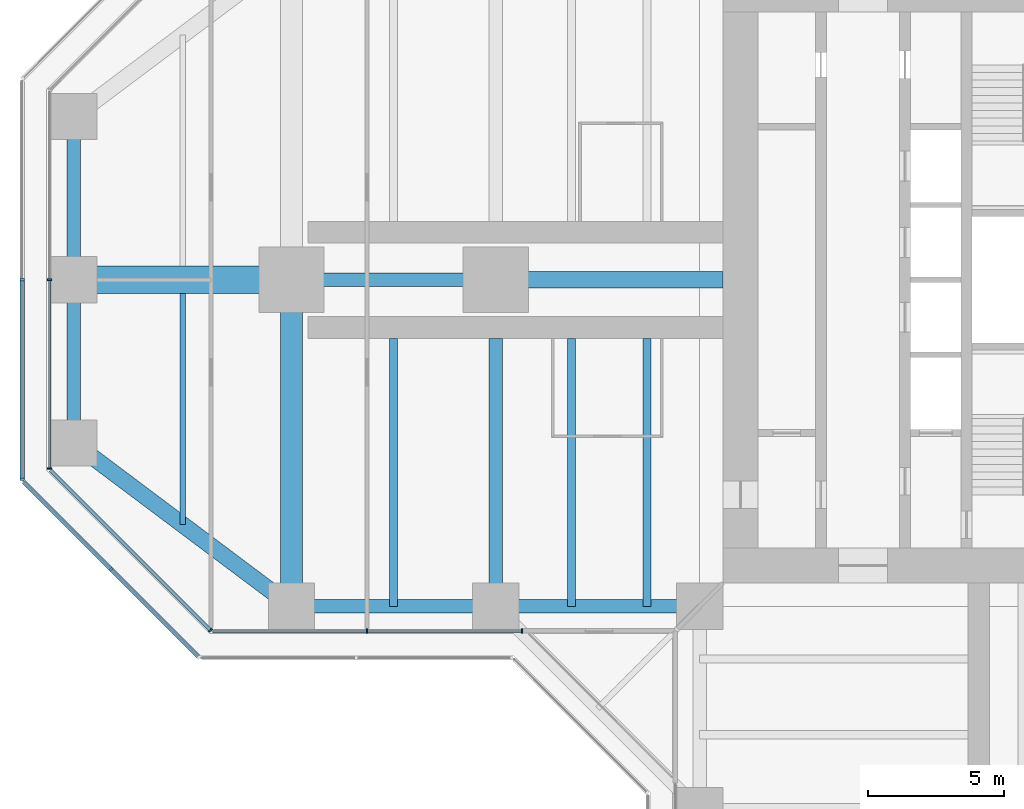
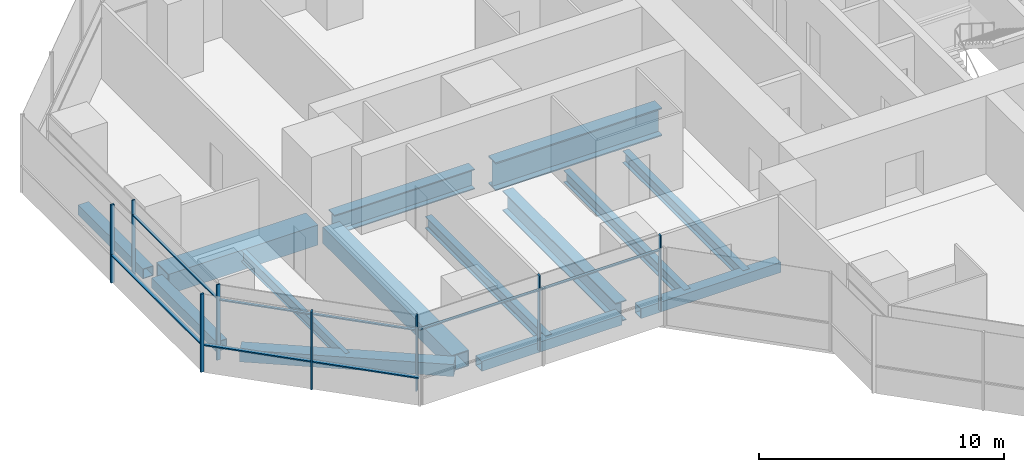
# One storey, part 3 of 20: 15 members, 14 beams, 5 elements without a shape of their own.
"""IFC4 building model written with IfcOpenShell, lengths in metres."""

from ifc_helpers import new_model, si_unit, direction, frame, origin, origin_2d, place, context, subcontext, project, spatial, rectangle, hollow_rectangle, i_section, extrude, material, material_profile, profile_set, type_object, element, aggregate, save


model = new_model("IFC4")

# Units and contexts
model_context = context("Model", 3, precision=1e-05, world=origin(), true_north=direction((0.0, 1.0)))
body_context = subcontext(model_context, "Body", "Model", "MODEL_VIEW")
ifc_project = project(units=[si_unit("LENGTHUNIT", "METRE"), si_unit("AREAUNIT", "SQUARE_METRE"), si_unit("VOLUMEUNIT", "CUBIC_METRE"), si_unit("PLANEANGLEUNIT", "RADIAN"), si_unit("MASSUNIT", "GRAM", prefix="KILO")], contexts=[model_context])

# Site, building, storey
site_placement = place(None, origin())
site = spatial("IfcSite", under=ifc_project, at=site_placement, CompositionType="ELEMENT")
building_placement = place(site_placement, origin())
building = spatial("IfcBuilding", under=site, at=building_placement, Name="Mizan Broadcast Tower", CompositionType="ELEMENT")
storey_placement = place(building_placement, frame((0.0, 0.0, 155.39990234375)))
storey = spatial("IfcBuildingStorey", under=building, at=storey_placement, Name="L35", CompositionType="ELEMENT", Elevation=155.39990234375)

# Beams
ifc_material_1 = material(Name="Steel S355", Category="steel")
ifc_material_profile_1 = material_profile(ifc_material_1, hollow_rectangle(XDim=0.5, YDim=0.5, WallThickness=0.030029296875, at=origin_2d()), Name="BOX 500x500x30")
ifc_profile_set_1 = profile_set([ifc_material_profile_1], Name="Steel S355")
beam_type_1 = type_object("IfcBeamType", Name="EDGE BEAM BOX 500x500x30", PredefinedType="SPANDREL", material=ifc_profile_set_1)
beam_1_placement = place(storey_placement, frame((-35.0, 5.639892578125, -0.3798828125), z_axis=(0.0, -1.0, 0.0), x_axis=(1.0, 0.0, 0.0)))
element("IfcBeam", 1, at=beam_1_placement, inside=storey, type_object=beam_type_1, Name="Edge beam BOX 500x500x30 L35 west arm", PredefinedType="SPANDREL", context=body_context, shape_type="SweptSolid", body=[
    extrude(hollow_rectangle(XDim=0.5, YDim=0.5, WallThickness=0.030029296875, at=origin_2d()), origin(), (0.0, 0.0, 1.0), 5.27978515625),
])
for number, where, z_axis, x_axis, name in (
    (2, (-12.449951171875, -12.0, -0.3798828125), (-1.0, 0.0, 0.0), (0.0, -1.0, 0.0), "Edge beam BOX 500x500x30 L35 west arm"),
    (3, (-19.949951171875, -12.0, -0.3798828125), (-1.0, 0.0, 0.0), (0.0, -1.0, 0.0), "Edge beam BOX 500x500x30 L35 west arm"),
):
    element("IfcBeam", number, at=place(storey_placement, frame(where, z_axis=z_axis, x_axis=x_axis)), inside=storey, type_object=beam_type_1, Name=name, PredefinedType="SPANDREL", context=body_context, shape_type="SweptSolid", body=[
        extrude(hollow_rectangle(XDim=0.5, YDim=0.5, WallThickness=0.030029296875, at=origin_2d()), origin(), (0.0, 0.0, 1.0), 6.60009765625),
    ])
beam_2_placement = place(storey_placement, frame((-35.0, -5.639892578125, -0.3798828125), z_axis=(0.0, 1.0, 0.0), x_axis=(-1.0, 0.0, 0.0)))
element("IfcBeam", 4, at=beam_2_placement, inside=storey, type_object=beam_type_1, Name="Edge beam BOX 500x500x30 L35 west arm", PredefinedType="SPANDREL", context=body_context, shape_type="SweptSolid", body=[
    extrude(hollow_rectangle(XDim=0.5, YDim=0.5, WallThickness=0.030029296875, at=origin_2d()), origin(), (0.0, 0.0, 1.0), 5.27978515625),
])
ifc_material_2 = material(Name="Steel S355", Category="steel")
ifc_material_profile_2 = material_profile(ifc_material_2, hollow_rectangle(XDim=0.60009765625, YDim=0.60009765625, WallThickness=0.030029296875, at=origin_2d()), Name="BOX 600x600x30")
ifc_profile_set_2 = profile_set([ifc_material_profile_2], Name="Steel S355")
beam_type_2 = type_object("IfcBeamType", Name="EDGE BEAM BOX 600x600x30", PredefinedType="SPANDREL", material=ifc_profile_set_2)
beam_3_placement = place(storey_placement, frame((-27.47998046875, -11.639892578125, -0.429931640625), z_axis=(-0.800013316712, 0.599982243973, 0.0), x_axis=(-0.599982243973, -0.800013316712, 0.0)))
element("IfcBeam", 5, at=beam_3_placement, inside=storey, type_object=beam_type_2, Name="Edge beam BOX 600x600x30 L35 west arm", PredefinedType="SPANDREL", context=body_context, shape_type="SweptSolid", body=[
    extrude(hollow_rectangle(XDim=0.60009765625, YDim=0.60009765625, WallThickness=0.030029296875, at=origin_2d()), origin(), (0.0, 0.0, 1.0), 8.7998046875),
])
ifc_material_3 = material(Name="Steel S460", Category="steel")
ifc_material_profile_3 = material_profile(ifc_material_3, hollow_rectangle(XDim=1.0, YDim=1.0, WallThickness=0.06005859375, at=origin_2d()), Name="BOX 1000x1000x60")
ifc_profile_set_3 = profile_set([ifc_material_profile_3], Name="Steel S460")
beam_type_3 = type_object("IfcBeamType", Name="GIRDER BOX 1000x1000x60", PredefinedType="BEAM", material=ifc_profile_set_3)
beam_4_placement = place(storey_placement, frame((-27.47998046875, 0.0, -0.6298828125), z_axis=(-1.0, 0.0, 0.0), x_axis=(0.0, -1.0, 0.0)))
element("IfcBeam", 6, at=beam_4_placement, inside=storey, type_object=beam_type_3, Name="Girder BOX 1000x1000x60 L35 west arm", PredefinedType="BEAM", context=body_context, shape_type="SweptSolid", body=[
    extrude(hollow_rectangle(XDim=1.0, YDim=1.0, WallThickness=0.06005859375, at=origin_2d()), origin(), (0.0, 0.0, 1.0), 7.0400390625),
])
ifc_material_4 = material(Name="Steel S460", Category="steel")
ifc_material_profile_4 = material_profile(ifc_material_4, hollow_rectangle(XDim=0.800048828125, YDim=0.800048828125, WallThickness=0.050048828125, at=origin_2d()), Name="BOX 800x800x50")
ifc_profile_set_4 = profile_set([ifc_material_profile_4], Name="Steel S460")
beam_type_4 = type_object("IfcBeamType", Name="GIRDER BOX 800x800x50", PredefinedType="BEAM", material=ifc_profile_set_4)
beam_5_placement = place(storey_placement, frame((-27.0, -11.280029296875, -0.52978515625), z_axis=(0.0, 1.0, 0.0), x_axis=(-1.0, 0.0, 0.0)))
element("IfcBeam", 7, at=beam_5_placement, inside=storey, type_object=beam_type_4, Name="Girder BOX 800x800x50 L35 west arm", PredefinedType="BEAM", context=body_context, shape_type="SweptSolid", body=[
    extrude(hollow_rectangle(XDim=0.800048828125, YDim=0.800048828125, WallThickness=0.050048828125, at=origin_2d()), origin(), (0.0, 0.0, 1.0), 10.56005859375),
])
ifc_material_5 = material(Name="Steel S460", Category="steel")
ifc_material_profile_5 = material_profile(ifc_material_5, i_section(OverallWidth=0.5, OverallDepth=1.0, WebThickness=0.02490234375, FlangeThickness=0.050048828125, at=origin_2d()), Name="WPG 1000x500")
ifc_profile_set_5 = profile_set([ifc_material_profile_5], Name="Steel S460")
beam_type_5 = type_object("IfcBeamType", Name="GIRDER WPG 1000x500", PredefinedType="BEAM", material=ifc_profile_set_5)
beam_6_placement = place(storey_placement, frame((-19.949951171875, 0.0, -0.6298828125), z_axis=(-1.0, 0.0, 0.0), x_axis=(0.0, -1.0, 0.0)))
element("IfcBeam", 8, at=beam_6_placement, inside=storey, type_object=beam_type_5, Name="Girder WPG 1000x500 L35 west arm", PredefinedType="BEAM", context=body_context, shape_type="SweptSolid", body=[
    extrude(i_section(OverallWidth=0.5, OverallDepth=1.0, WebThickness=0.02490234375, FlangeThickness=0.050048828125, at=origin_2d()), origin(), (0.0, 0.0, 1.0), 6.60009765625),
])
beam_7_placement = place(storey_placement, frame((-19.5, -11.408935546875, -0.6298828125), z_axis=(0.0, 1.0, 0.0), x_axis=(-1.0, 0.0, 0.0)))
element("IfcBeam", 9, at=beam_7_placement, inside=storey, type_object=beam_type_5, Name="Girder WPG 1000x500 L35 west arm", PredefinedType="BEAM", context=body_context, shape_type="SweptSolid", body=[
    extrude(i_section(OverallWidth=0.5, OverallDepth=1.0, WebThickness=0.02490234375, FlangeThickness=0.050048828125, at=origin_2d()), origin(), (0.0, 0.0, 1.0), 9.259033203125),
])
ifc_material_6 = material(Name="Steel S460", Category="steel")
ifc_material_profile_6 = material_profile(ifc_material_6, i_section(OverallWidth=0.60009765625, OverallDepth=1.39990234375, WebThickness=0.02490234375, FlangeThickness=0.06005859375, at=origin_2d()), Name="WPG 1400x600")
ifc_profile_set_6 = profile_set([ifc_material_profile_6], Name="Steel S460")
beam_type_6 = type_object("IfcBeamType", Name="GIRDER WPG 1400x600", PredefinedType="BEAM", material=ifc_profile_set_6)
beam_8_placement = place(storey_placement, frame((-11.14990234375, 0.0, -0.829833984375), z_axis=(-1.0, 0.0, 0.0), x_axis=(0.0, -1.0, 0.0)))
element("IfcBeam", 10, at=beam_8_placement, inside=storey, type_object=beam_type_6, Name="Girder WPG 1400x600 L35 west arm", PredefinedType="BEAM", context=body_context, shape_type="SweptSolid", body=[
    extrude(i_section(OverallWidth=0.60009765625, OverallDepth=1.39990234375, WebThickness=0.02490234375, FlangeThickness=0.06005859375, at=origin_2d()), origin(), (0.0, 0.0, 1.0), 7.84912109375),
])

# Curtain wall, members
ifc_material_7 = material(Name="Aluminium framed glazing", Category="aluminium")
curtain_wall_type_1 = type_object("IfcCurtainWallType", Name="INNER SKIN MID ZONE", PredefinedType="USERDEFINED", material=ifc_material_7)
curtain_wall_1_placement = place(storey_placement, origin())
curtain_wall_1 = element("IfcCurtainWall", 11, at=curtain_wall_1_placement, inside=storey, type_object=curtain_wall_type_1, Name="Inner skin mid zone L35 W end", ObjectType="INNER SKIN MID ZONE", PredefinedType="USERDEFINED")
ifc_material_8 = material(Name="Aluminium, pale anodised", Category="aluminium")
ifc_material_profile_7 = material_profile(ifc_material_8, rectangle(XDim=0.159912109375, YDim=0.06005859375, at=origin_2d()), Name="MULLION 160x60")
ifc_profile_set_7 = profile_set([ifc_material_profile_7], Name="Aluminium, pale anodised")
member_type_1 = type_object("IfcMemberType", Name="INNER SKIN MULLION 60x160", PredefinedType="MULLION", material=ifc_profile_set_7)
member_1_placement = place(storey_placement, frame((-35.89990234375, 0.0, 0.0), z_axis=(0.0, 0.0, 1.0), x_axis=(1.0, 0.0, 0.0)))
member_1 = element("IfcMember", 12, at=member_1_placement, type_object=member_type_1, Name="Inner skin mid zone L35 W end mullion 2", PredefinedType="MULLION", context=body_context, shape_type="SweptSolid", body=[
    extrude(rectangle(XDim=0.159912109375, YDim=0.06005859375, at=origin_2d()), origin(), (0.0, 0.0, 1.0), 3.77001953125),
])
member_2_placement = place(storey_placement, frame((-35.89990234375, -6.928466796875, 0.0), z_axis=(0.0, 0.0, 1.0), x_axis=(1.0, 0.0, 0.0)))
member_2 = element("IfcMember", 13, at=member_2_placement, type_object=member_type_1, Name="Inner skin mid zone L35 W end mullion 3", PredefinedType="MULLION", context=body_context, shape_type="SweptSolid", body=[
    extrude(rectangle(XDim=0.159912109375, YDim=0.06005859375, at=origin_2d()), origin(), (0.0, 0.0, 1.0), 3.77001953125),
])

# Curtain wall, member
curtain_wall_2_placement = place(storey_placement, origin())
curtain_wall_2 = element("IfcCurtainWall", 14, at=curtain_wall_2_placement, inside=storey, type_object=curtain_wall_type_1, Name="Inner skin mid zone L35 W chamfer", ObjectType="INNER SKIN MID ZONE", PredefinedType="USERDEFINED")
member_3_placement = place(storey_placement, frame((-29.979736328125, -12.87890625, 0.0), z_axis=(0.0, 0.0, 1.0), x_axis=(0.707106781187, 0.707106781187, 0.0)))
member_3 = element("IfcMember", 15, at=member_3_placement, type_object=member_type_1, Name="Inner skin mid zone L35 W chamfer mullion 2", PredefinedType="MULLION", context=body_context, shape_type="SweptSolid", body=[
    extrude(rectangle(XDim=0.159912109375, YDim=0.06005859375, at=origin_2d()), origin(), (0.0, 0.0, 1.0), 3.77001953125),
])

# Curtain wall, members
curtain_wall_3_placement = place(storey_placement, origin())
curtain_wall_3 = element("IfcCurtainWall", 16, at=curtain_wall_3_placement, inside=storey, type_object=curtain_wall_type_1, Name="Inner skin mid zone L35 W side", ObjectType="INNER SKIN MID ZONE", PredefinedType="USERDEFINED")
member_4_placement = place(storey_placement, frame((-24.229248046875, -12.89990234375, 0.0), z_axis=(0.0, 0.0, 1.0), x_axis=(0.0, 1.0, 0.0)))
member_4 = element("IfcMember", 17, at=member_4_placement, type_object=member_type_1, Name="Inner skin mid zone L35 W side mullion 2", PredefinedType="MULLION", context=body_context, shape_type="SweptSolid", body=[
    extrude(rectangle(XDim=0.159912109375, YDim=0.06005859375, at=origin_2d()), origin(), (0.0, 0.0, 1.0), 3.77001953125),
])
member_5_placement = place(storey_placement, frame((-18.530029296875, -12.89990234375, 0.0), z_axis=(0.0, 0.0, 1.0), x_axis=(0.0, 1.0, 0.0)))
member_5 = element("IfcMember", 18, at=member_5_placement, type_object=member_type_1, Name="Inner skin mid zone L35 W side mullion 3", PredefinedType="MULLION", context=body_context, shape_type="SweptSolid", body=[
    extrude(rectangle(XDim=0.159912109375, YDim=0.06005859375, at=origin_2d()), origin(), (0.0, 0.0, 1.0), 3.77001953125),
])

# Member
ifc_material_9 = material(Name="Aluminium, pale anodised", Category="aluminium")
ifc_material_profile_8 = material_profile(ifc_material_9, rectangle(XDim=0.1201171875, YDim=0.06005859375, at=origin_2d()), Name="TRANSOM 120x60")
ifc_profile_set_8 = profile_set([ifc_material_profile_8], Name="Aluminium, pale anodised")
member_type_2 = type_object("IfcMemberType", Name="INNER SKIN TRANSOM 60x120", PredefinedType="USERDEFINED", material=ifc_profile_set_8)
member_6_placement = place(storey_placement, frame((-35.89990234375, -0.030029296875, 3.030029296875), z_axis=(0.0, -1.0, 0.0), x_axis=(1.0, 0.0, 0.0)))
member_6 = element("IfcMember", 19, at=member_6_placement, type_object=member_type_2, Name="Inner skin mid zone L35 W end transom 2.1", ObjectType="TRANSOM", PredefinedType="USERDEFINED", context=body_context, shape_type="SweptSolid", body=[
    extrude(rectangle(XDim=0.1201171875, YDim=0.06005859375, at=origin_2d()), origin(), (0.0, 0.0, 1.0), 6.86865234375),
])

aggregate(curtain_wall_1, [member_1, member_2, member_6])

member_7_placement = place(storey_placement, frame((-35.857666015625, -7.0009765625, 3.030029296875), z_axis=(0.707106781187, -0.707106781187, 0.0), x_axis=(0.707106781187, 0.707106781187, 0.0)))
member_7 = element("IfcMember", 20, at=member_7_placement, type_object=member_type_2, Name="Inner skin mid zone L35 W chamfer transom 1.1", ObjectType="TRANSOM", PredefinedType="USERDEFINED", context=body_context, shape_type="SweptSolid", body=[
    extrude(rectangle(XDim=0.1201171875, YDim=0.06005859375, at=origin_2d()), origin(), (0.0, 0.0, 1.0), 8.28271484375),
])

aggregate(curtain_wall_2, [member_3, member_7])

member_8_placement = place(storey_placement, frame((-29.898681640625, -12.89990234375, 3.030029296875), z_axis=(1.0, 0.0, 0.0), x_axis=(0.0, 1.0, 0.0)))
member_8 = element("IfcMember", 21, at=member_8_placement, type_object=member_type_2, Name="Inner skin mid zone L35 W side transom 1.1", ObjectType="TRANSOM", PredefinedType="USERDEFINED", context=body_context, shape_type="SweptSolid", body=[
    extrude(rectangle(XDim=0.1201171875, YDim=0.06005859375, at=origin_2d()), origin(), (0.0, 0.0, 1.0), 5.639404296875),
])

member_9_placement = place(storey_placement, frame((-24.19921875, -12.89990234375, 3.030029296875), z_axis=(1.0, 0.0, 0.0), x_axis=(0.0, 1.0, 0.0)))
member_9 = element("IfcMember", 22, at=member_9_placement, type_object=member_type_2, Name="Inner skin mid zone L35 W side transom 2.1", ObjectType="TRANSOM", PredefinedType="USERDEFINED", context=body_context, shape_type="SweptSolid", body=[
    extrude(rectangle(XDim=0.1201171875, YDim=0.06005859375, at=origin_2d()), origin(), (0.0, 0.0, 1.0), 5.63916015625),
])

aggregate(curtain_wall_3, [member_4, member_5, member_8, member_9])

# Curtain wall, members
ifc_material_10 = material(Name="Aluminium framed glazing", Category="aluminium")
curtain_wall_type_2 = type_object("IfcCurtainWallType", Name="OUTER SKIN", PredefinedType="USERDEFINED", material=ifc_material_10)
curtain_wall_4_placement = place(storey_placement, origin())
curtain_wall_4 = element("IfcCurtainWall", 23, at=curtain_wall_4_placement, inside=storey, type_object=curtain_wall_type_2, Name="Outer skin L35 W end", ObjectType="OUTER SKIN", PredefinedType="USERDEFINED")
ifc_material_11 = material(Name="Aluminium, pale anodised", Category="aluminium")
ifc_material_profile_9 = material_profile(ifc_material_11, rectangle(XDim=0.159912109375, YDim=0.080078125, at=origin_2d()), Name="MULLION 160x80")
ifc_profile_set_9 = profile_set([ifc_material_profile_9], Name="Aluminium, pale anodised")
member_type_3 = type_object("IfcMemberType", Name="OUTER SKIN MULLION 80x160", PredefinedType="MULLION", material=ifc_profile_set_9)
member_10_placement = place(storey_placement, frame((-36.89990234375, 0.0, 0.0), z_axis=(0.0, 0.0, 1.0), x_axis=(1.0, 0.0, 0.0)))
member_10 = element("IfcMember", 24, at=member_10_placement, type_object=member_type_3, Name="Outer skin L35 W end mullion 2", PredefinedType="MULLION", context=body_context, shape_type="SweptSolid", body=[
    extrude(rectangle(XDim=0.159912109375, YDim=0.080078125, at=origin_2d()), origin(), (0.0, 0.0, 1.0), 3.900146484375),
])
member_11_placement = place(storey_placement, frame((-36.89990234375, -7.332763671875, 0.0), z_axis=(0.0, 0.0, 1.0), x_axis=(1.0, 0.0, 0.0)))
member_11 = element("IfcMember", 25, at=member_11_placement, type_object=member_type_3, Name="Outer skin L35 W end mullion 3", PredefinedType="MULLION", context=body_context, shape_type="SweptSolid", body=[
    extrude(rectangle(XDim=0.159912109375, YDim=0.080078125, at=origin_2d()), origin(), (0.0, 0.0, 1.0), 3.900146484375),
])

# Curtain wall, member
curtain_wall_5_placement = place(storey_placement, origin())
curtain_wall_5 = element("IfcCurtainWall", 26, at=curtain_wall_5_placement, inside=storey, type_object=curtain_wall_type_2, Name="Outer skin L35 W chamfer", ObjectType="OUTER SKIN", PredefinedType="USERDEFINED")
member_12_placement = place(storey_placement, frame((-33.636474609375, -10.636474609375, 0.0), z_axis=(0.0, 0.0, 1.0), x_axis=(0.707106781187, 0.707106781187, 0.0)))
member_12 = element("IfcMember", 27, at=member_12_placement, type_object=member_type_3, Name="Outer skin L35 W chamfer mullion 2", PredefinedType="MULLION", context=body_context, shape_type="SweptSolid", body=[
    extrude(rectangle(XDim=0.159912109375, YDim=0.080078125, at=origin_2d()), origin(), (0.0, 0.0, 1.0), 3.900146484375),
])

# Member
ifc_material_12 = material(Name="Aluminium, pale anodised", Category="aluminium")
ifc_material_profile_10 = material_profile(ifc_material_12, rectangle(XDim=0.159912109375, YDim=0.06005859375, at=origin_2d()), Name="TRANSOM 160x60")
ifc_profile_set_10 = profile_set([ifc_material_profile_10], Name="Aluminium, pale anodised")
member_type_4 = type_object("IfcMemberType", Name="OUTER SKIN TRANSOM 60x160", PredefinedType="USERDEFINED", material=ifc_profile_set_10)
member_13_placement = place(storey_placement, frame((-36.89990234375, -0.0400390625, 1.400146484375), z_axis=(0.0, -1.0, 0.0), x_axis=(1.0, 0.0, 0.0)))
member_13 = element("IfcMember", 28, at=member_13_placement, type_object=member_type_4, Name="Outer skin L35 W end transom 2.1", ObjectType="TRANSOM", PredefinedType="USERDEFINED", context=body_context, shape_type="SweptSolid", body=[
    extrude(rectangle(XDim=0.159912109375, YDim=0.06005859375, at=origin_2d()), origin(), (0.0, 0.0, 1.0), 7.252685546875),
])

aggregate(curtain_wall_4, [member_10, member_11, member_13])

member_14_placement = place(storey_placement, frame((-36.843505859375, -7.429443359375, 1.400146484375), z_axis=(0.707106781187, -0.707106781187, 0.0), x_axis=(0.707106781187, 0.707106781187, 0.0)))
member_14 = element("IfcMember", 29, at=member_14_placement, type_object=member_type_4, Name="Outer skin L35 W chamfer transom 1.1", ObjectType="TRANSOM", PredefinedType="USERDEFINED", context=body_context, shape_type="SweptSolid", body=[
    extrude(rectangle(XDim=0.159912109375, YDim=0.06005859375, at=origin_2d()), origin(), (0.0, 0.0, 1.0), 4.495361328125),
])

member_15_placement = place(storey_placement, frame((-33.608154296875, -10.664794921875, 1.400146484375), z_axis=(0.707106781187, -0.707106781187, 0.0), x_axis=(0.707106781187, 0.707106781187, 0.0)))
member_15 = element("IfcMember", 30, at=member_15_placement, type_object=member_type_4, Name="Outer skin L35 W chamfer transom 2.1", ObjectType="TRANSOM", PredefinedType="USERDEFINED", context=body_context, shape_type="SweptSolid", body=[
    extrude(rectangle(XDim=0.159912109375, YDim=0.06005859375, at=origin_2d()), origin(), (0.0, 0.0, 1.0), 4.495361328125),
])

aggregate(curtain_wall_5, [member_12, member_14, member_15])

# Beams
ifc_material_13 = material(Name="Steel S355", Category="steel")
ifc_material_profile_11 = material_profile(ifc_material_13, i_section(OverallWidth=0.300048828125, OverallDepth=0.590087890625, WebThickness=0.012939453125, FlangeThickness=0.02490234375, FilletRadius=0.027099609375, at=origin_2d()), Name="HEA 600")
ifc_profile_set_11 = profile_set([ifc_material_profile_11], Name="Steel S355")
beam_type_7 = type_object("IfcBeamType", Name="SECONDARY BEAM HEA 600", PredefinedType="JOIST", material=ifc_profile_set_11)
for number, where, z_axis, x_axis, name in (
    (31, (-13.933349609375, -12.0, -0.4248046875), (0.0, 1.0, 0.0), (-1.0, 0.0, 0.0), "Secondary beam HEA 600 L35 west arm"),
    (32, (-16.716552734375, -12.0, -0.4248046875), (0.0, 1.0, 0.0), (-1.0, 0.0, 0.0), "Secondary beam HEA 600 L35 west arm"),
    (33, (-23.25, -12.0, -0.4248046875), (0.0, 1.0, 0.0), (-1.0, 0.0, 0.0), "Secondary beam HEA 600 L35 west arm"),
):
    element("IfcBeam", number, at=place(storey_placement, frame(where, z_axis=z_axis, x_axis=x_axis)), inside=storey, type_object=beam_type_7, Name=name, PredefinedType="JOIST", context=body_context, shape_type="SweptSolid", body=[
        extrude(i_section(OverallWidth=0.300048828125, OverallDepth=0.590087890625, WebThickness=0.012939453125, FlangeThickness=0.02490234375, FilletRadius=0.027099609375, at=origin_2d()), origin(), (0.0, 0.0, 1.0), 9.85009765625),
    ])
ifc_material_14 = material(Name="Steel S355", Category="steel")
ifc_material_profile_12 = material_profile(ifc_material_14, i_section(OverallWidth=0.2099609375, OverallDepth=0.550048828125, WebThickness=0.010986328125, FlangeThickness=0.01708984375, FilletRadius=0.02392578125, at=origin_2d()), Name="IPE 550")
ifc_profile_set_12 = profile_set([ifc_material_profile_12], Name="Steel S355")
beam_type_8 = type_object("IfcBeamType", Name="SECONDARY BEAM IPE 550", PredefinedType="JOIST", material=ifc_profile_set_12)
beam_9_placement = place(storey_placement, frame((-31.0, -9.0, -0.40478515625), z_axis=(0.0, 1.0, 0.0), x_axis=(-1.0, 0.0, 0.0)))
element("IfcBeam", 34, at=beam_9_placement, inside=storey, type_object=beam_type_8, Name="Secondary beam IPE 550 L35 west arm", PredefinedType="JOIST", context=body_context, shape_type="SweptSolid", body=[
    extrude(i_section(OverallWidth=0.2099609375, OverallDepth=0.550048828125, WebThickness=0.010986328125, FlangeThickness=0.01708984375, FilletRadius=0.02392578125, at=origin_2d()), origin(), (0.0, 0.0, 1.0), 8.5),
])

save(model, "model.ifc")
